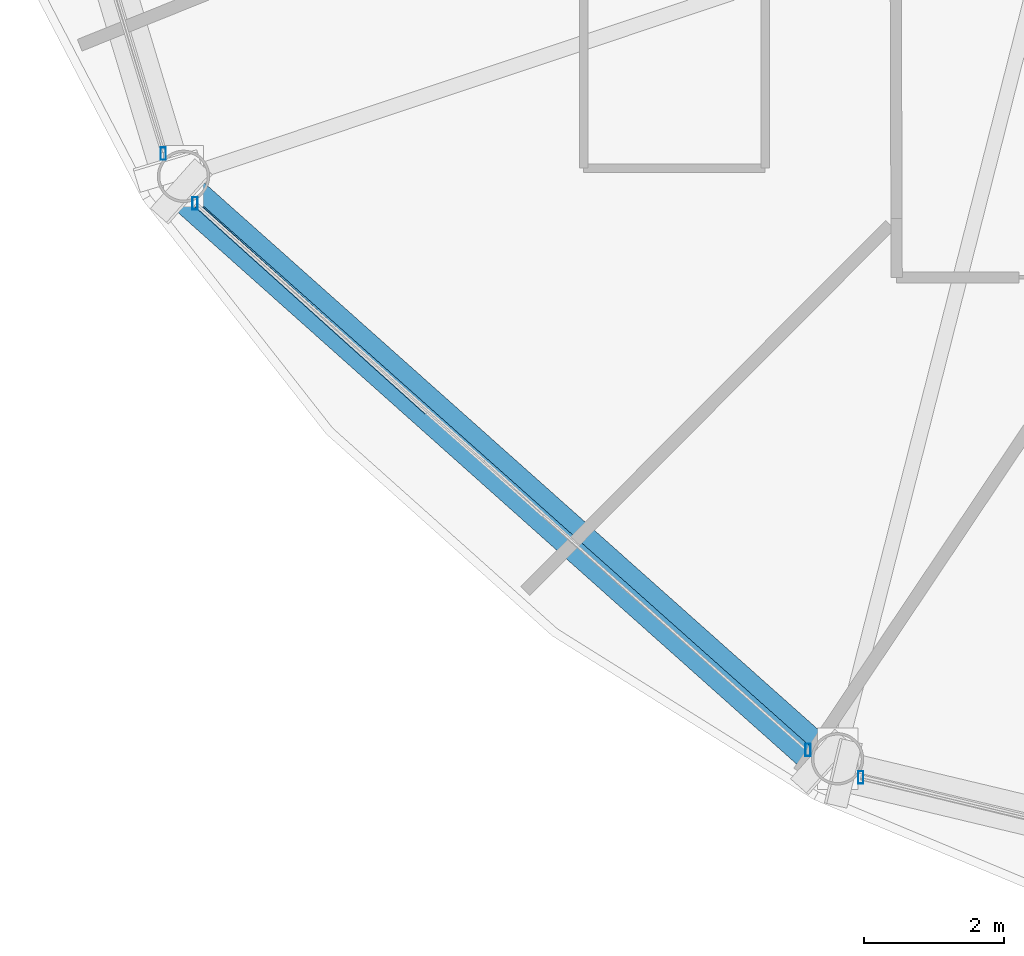
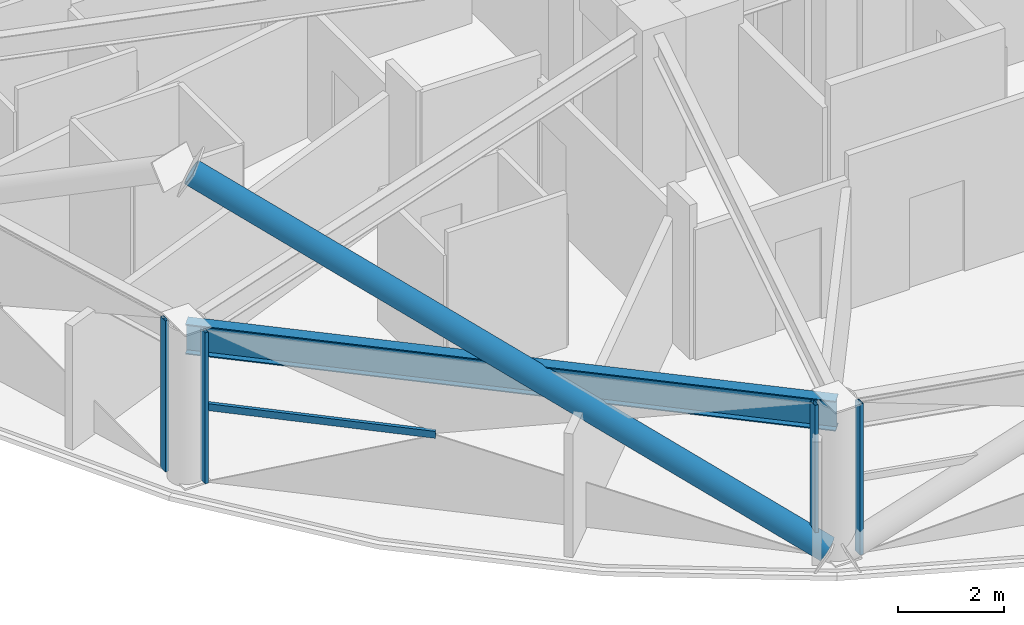
# One storey, part 2 of 32: 6 members, 1 beam, 3 elements without a shape of their own.
"""IFC4 building model written with IfcOpenShell, lengths in metres."""

from ifc_helpers import new_model, si_unit, direction, frame, origin, origin_2d, place, context, subcontext, project, spatial, hollow_rectangle, hollow_circle, i_section, extrude, material, layer, layer_set, material_profile, profile_set, type_object, element, aggregate, save


model = new_model("IFC4")

# Units and contexts
model_context = context("Model", 3, precision=1e-05, world=origin(), true_north=direction((0.0, 1.0)))
body_context = subcontext(model_context, "Body", "Model", "MODEL_VIEW")
ifc_project = project(units=[si_unit("LENGTHUNIT", "METRE"), si_unit("AREAUNIT", "SQUARE_METRE"), si_unit("VOLUMEUNIT", "CUBIC_METRE"), si_unit("PLANEANGLEUNIT", "RADIAN"), si_unit("MASSUNIT", "GRAM", prefix="KILO")], contexts=[model_context])

# Site, building, storey
site_placement = place(None, origin())
site = spatial("IfcSite", under=ifc_project, at=site_placement, CompositionType="ELEMENT")
building_placement = place(site_placement, origin())
building = spatial("IfcBuilding", under=site, at=building_placement, Name="Vantalir Tower", CompositionType="ELEMENT")
storey_placement = place(building_placement, frame((0.0, 0.0, 104.699951171875)))
storey = spatial("IfcBuildingStorey", under=building, at=storey_placement, Name="L25", CompositionType="ELEMENT", Elevation=104.699951171875)

# Beam
ifc_material_1 = material(Name="Steel S460", Category="steel")
ifc_material_profile_1 = material_profile(ifc_material_1, i_section(OverallWidth=0.256103515625, OverallDepth=0.693115234375, WebThickness=0.014404296875, FlangeThickness=0.023681640625, at=origin_2d()), Name="Steel S460")
ifc_profile_set_1 = profile_set([ifc_material_profile_1], Name="Steel S460")
beam_type = type_object("IfcBeamType", Name="BM-RG-686x254", PredefinedType="USERDEFINED", material=ifc_profile_set_1)
beam_placement = place(storey_placement, frame((9.340087890625, 13.60595703125, 3.22314453125), z_axis=(0.746784993974, -0.665065540211, 0.0), x_axis=(0.665065540211, 0.746784993974, 0.0)))
element("IfcBeam", 1, at=beam_placement, inside=storey, type_object=beam_type, Name="L25 Circumferential Ring Girder 08", ObjectType="GIRDER", PredefinedType="USERDEFINED", context=body_context, shape_type="SweptSolid", body=[
    extrude(i_section(OverallWidth=0.256103515625, OverallDepth=0.693115234375, WebThickness=0.014404296875, FlangeThickness=0.023681640625, at=origin_2d()), origin(), (0.0, 0.0, 1.0), 12.541748046875),
])

# Curtain wall, member
ifc_material_2 = material(Name="Champagne-silver PVDF aluminium and double-silver Low-E glass", Category="aluminium")
ifc_layer = layer(ifc_material_2, 0.199951171875)
ifc_layer_set = layer_set([ifc_layer], Name="Champagne-silver PVDF aluminium and double-silver Low-E glass")
curtain_wall_type = type_object("IfcCurtainWallType", Name="CW-DIAMOND-Z2", PredefinedType="USERDEFINED", material=ifc_layer_set)
curtain_wall_1_placement = place(storey_placement, origin())
curtain_wall_1 = element("IfcCurtainWall", 2, at=curtain_wall_1_placement, inside=storey, type_object=curtain_wall_type, Name="L25 Quilted Pyramid-Diamond Curtain Wall S07", ObjectType="UNITISED CURTAIN WALL", PredefinedType="USERDEFINED")
ifc_material_3 = material(Name="Champagne-silver PVDF aluminium 6063-T6", Category="aluminium")
ifc_material_profile_2 = material_profile(ifc_material_3, hollow_rectangle(XDim=0.074951171875, YDim=0.179931640625, WallThickness=0.00390625, at=origin_2d()), Name="Champagne-silver PVDF aluminium 6063-T6")
ifc_profile_set_2 = profile_set([ifc_material_profile_2], Name="Champagne-silver PVDF aluminium 6063-T6")
member_type_1 = type_object("IfcMemberType", Name="CWM-180x75", PredefinedType="MULLION", material=ifc_profile_set_2)
member_1_placement = place(storey_placement, frame((9.049072265625, 13.931884765625, 0.045166015625), z_axis=(0.0, 0.0, 1.0), x_axis=(1.0, 0.0, 0.0)))
member_1 = element("IfcMember", 3, at=member_1_placement, type_object=member_type_1, Name="CW-L25-S07 Mullion 2", PredefinedType="MULLION", context=body_context, shape_type="SweptSolid", body=[
    extrude(hollow_rectangle(XDim=0.074951171875, YDim=0.179931640625, WallThickness=0.00390625, at=origin_2d()), origin(), (0.0, 0.0, 1.0), 3.47998046875),
])
aggregate(curtain_wall_1, [member_1])

# Curtain wall, members
curtain_wall_2_placement = place(storey_placement, origin())
curtain_wall_2 = element("IfcCurtainWall", 4, at=curtain_wall_2_placement, inside=storey, type_object=curtain_wall_type, Name="L25 Quilted Pyramid-Diamond Curtain Wall S08", ObjectType="UNITISED CURTAIN WALL", PredefinedType="USERDEFINED")
member_2_placement = place(storey_placement, frame((9.50390625, 13.218017578125, 0.045166015625), z_axis=(0.0, 0.0, 1.0), x_axis=(1.0, 0.0, 0.0)))
member_2 = element("IfcMember", 5, at=member_2_placement, type_object=member_type_1, Name="CW-L25-S08 Mullion 1", PredefinedType="MULLION", context=body_context, shape_type="SweptSolid", body=[
    extrude(hollow_rectangle(XDim=0.074951171875, YDim=0.179931640625, WallThickness=0.00390625, at=origin_2d()), origin(), (0.0, 0.0, 1.0), 3.47998046875),
])
member_3_placement = place(storey_placement, frame((18.282958984375, 5.39306640625, 0.045166015625), z_axis=(0.0, 0.0, 1.0), x_axis=(1.0, 0.0, 0.0)))
member_3 = element("IfcMember", 6, at=member_3_placement, type_object=member_type_1, Name="CW-L25-S08 Mullion 2", PredefinedType="MULLION", context=body_context, shape_type="SweptSolid", body=[
    extrude(hollow_rectangle(XDim=0.074951171875, YDim=0.179931640625, WallThickness=0.00390625, at=origin_2d()), origin(), (0.0, 0.0, 1.0), 3.47998046875),
])

# Curtain wall, member
curtain_wall_3_placement = place(storey_placement, origin())
curtain_wall_3 = element("IfcCurtainWall", 7, at=curtain_wall_3_placement, inside=storey, type_object=curtain_wall_type, Name="L25 Quilted Pyramid-Diamond Curtain Wall S09", ObjectType="UNITISED CURTAIN WALL", PredefinedType="USERDEFINED")
member_4_placement = place(storey_placement, frame((19.0390625, 4.998046875, 0.045166015625), z_axis=(0.0, 0.0, 1.0), x_axis=(1.0, 0.0, 0.0)))
member_4 = element("IfcMember", 8, at=member_4_placement, type_object=member_type_1, Name="CW-L25-S09 Mullion 1", PredefinedType="MULLION", context=body_context, shape_type="SweptSolid", body=[
    extrude(hollow_rectangle(XDim=0.074951171875, YDim=0.179931640625, WallThickness=0.00390625, at=origin_2d()), origin(), (0.0, 0.0, 1.0), 3.47998046875),
])
aggregate(curtain_wall_3, [member_4])

# Member
ifc_material_profile_3 = material_profile(ifc_material_3, hollow_rectangle(XDim=0.074951171875, YDim=0.159912109375, WallThickness=0.00390625, at=origin_2d()), Name="Champagne-silver PVDF aluminium 6063-T6")
ifc_profile_set_3 = profile_set([ifc_material_profile_3], Name="Champagne-silver PVDF aluminium 6063-T6")
member_type_2 = type_object("IfcMemberType", Name="CWT-160x75", PredefinedType="USERDEFINED", material=ifc_profile_set_3)
member_5_placement = place(storey_placement, frame((9.50390625, 13.218017578125, 1.78515625), z_axis=(0.743003128347, -0.669287943464, 0.0), x_axis=(0.669287943464, 0.743003128347, 0.0)))
member_5 = element("IfcMember", 9, at=member_5_placement, type_object=member_type_2, Name="CW-L25-S08 Pyramid Fold Ridge Transom", ObjectType="TRANSOM", PredefinedType="USERDEFINED", context=body_context, shape_type="SweptSolid", body=[
    extrude(hollow_rectangle(XDim=0.074951171875, YDim=0.159912109375, WallThickness=0.00390625, at=origin_2d()), origin(), (0.0, 0.0, 1.0), 4.464599609375),
])

aggregate(curtain_wall_2, [member_2, member_3, member_5])

ifc_material_profile_4 = material_profile(ifc_material_1, hollow_circle(Radius=0.260009765625, WallThickness=0.0380859375, at=origin_2d()), Name="Steel S460")
ifc_profile_set_4 = profile_set([ifc_material_profile_4], Name="Steel S460")
member_type_3 = type_object("IfcMemberType", Name="MEM-DB-520x38", PredefinedType="BRACE", material=ifc_profile_set_4)
member_6_placement = place(storey_placement, frame((18.468017578125, 5.22705078125, 0.18798828125), z_axis=(-0.649432518737, 0.579019850657, 0.492923336992), x_axis=(-0.665484412794, -0.74641174718, 0.0)))
element("IfcMember", 10, at=member_6_placement, inside=storey, type_object=member_type_3, Name="L25 Perimeter S460 Diagrid Brace R25R", PredefinedType="BRACE", context=body_context, shape_type="SweptSolid", body=[
    extrude(hollow_circle(Radius=0.260009765625, WallThickness=0.0380859375, at=origin_2d()), origin(), (0.0, 0.0, 1.0), 14.087646484375),
])

save(model, "model.ifc")
